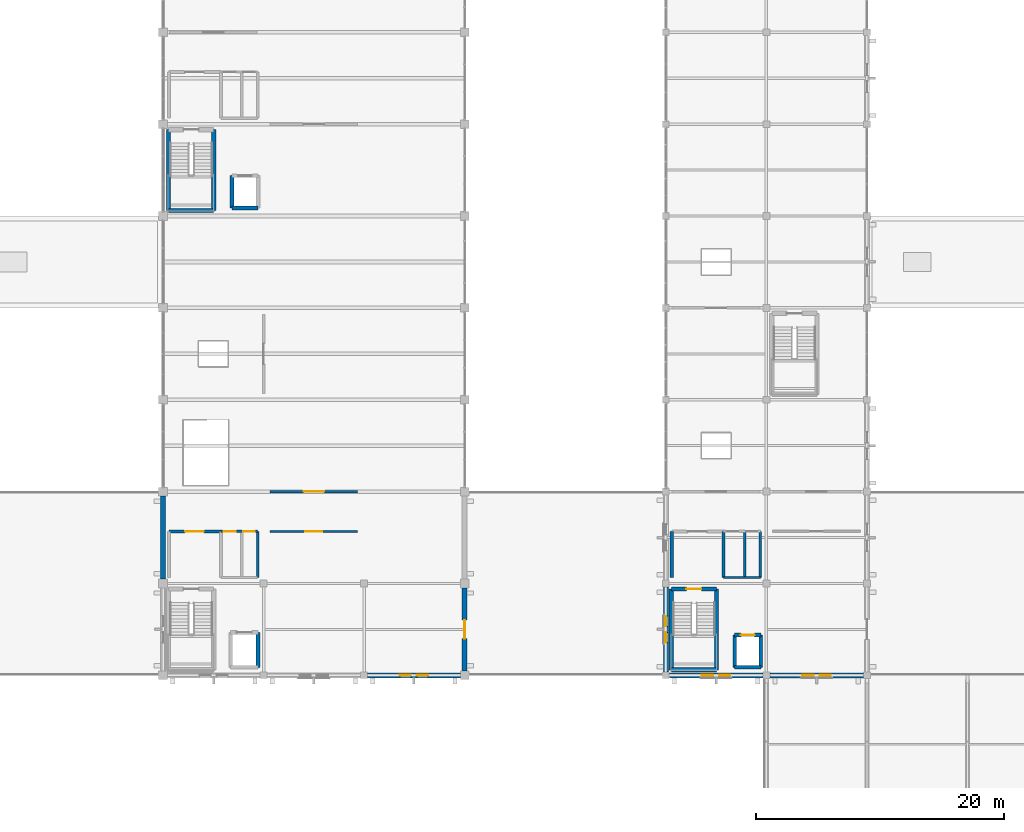
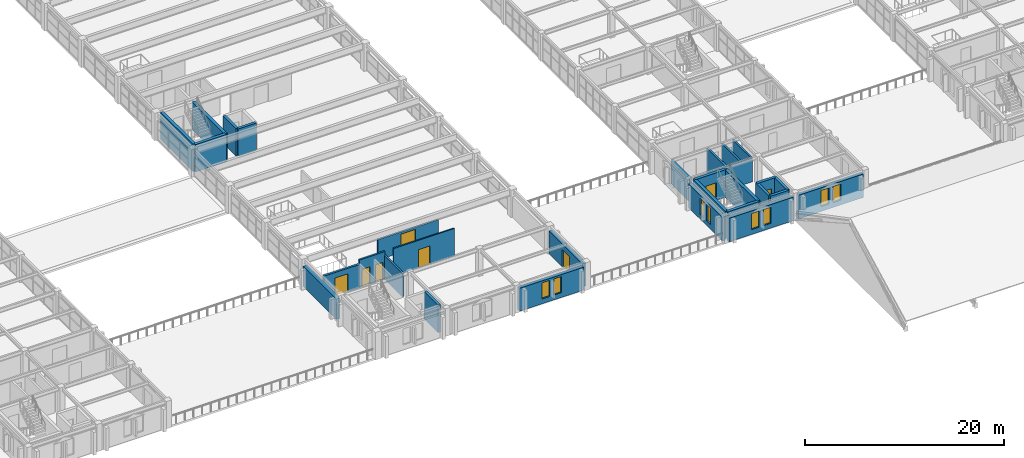
# One storey, part 103 of 121: 30 walls, 8 doors, 8 windows, 16 openings.
"""IFC4 building model written with IfcOpenShell, lengths in metres."""

from ifc_helpers import new_model, si_unit, direction, frame, frame_2d, origin, place, context, subcontext, project, spatial, rectangle, extrude, material, layer, layer_set, type_object, element, fill, save


model = new_model("IFC4")

# Units and contexts
model_context = context("Model", 3, precision=1e-05, world=origin(), true_north=direction((0.0, 1.0)))
body_context = subcontext(model_context, "Body", "Model", "MODEL_VIEW")
ifc_project = project(units=[si_unit("LENGTHUNIT", "METRE"), si_unit("AREAUNIT", "SQUARE_METRE"), si_unit("VOLUMEUNIT", "CUBIC_METRE"), si_unit("PLANEANGLEUNIT", "RADIAN"), si_unit("MASSUNIT", "GRAM", prefix="KILO")], contexts=[model_context])

# Site, building, storey
site_placement = place(None, origin())
site = spatial("IfcSite", under=ifc_project, at=site_placement, CompositionType="ELEMENT")
building_placement = place(site_placement, origin())
building = spatial("IfcBuilding", under=site, at=building_placement, Name="Cimatlan Art Gallery", CompositionType="ELEMENT")
storey_placement = place(building_placement, frame((0.0, 0.0, 10.199951171875)))
storey = spatial("IfcBuildingStorey", under=building, at=storey_placement, Name="L02", CompositionType="ELEMENT", Elevation=10.199951171875)

# Walls
ifc_material_1 = material(Name="Concrete C40/50", Category="concrete")
ifc_layer_1 = layer(ifc_material_1, 0.31005859375)
ifc_layer_set_1 = layer_set([ifc_layer_1], Name="Concrete C40/50")
wall_type_1 = type_object("IfcWallType", Name="W-CORE-310", PredefinedType="SHEAR", material=ifc_layer_set_1)
wall_1_placement = place(storey_placement, frame((82.550048828125, 24.550048828125, 0.0), z_axis=(0.0, 0.0, 1.0), x_axis=(0.0, 1.0, 0.0)))
element("IfcWall", 1, at=wall_1_placement, inside=storey, type_object=wall_type_1, Name="WL-SHFT-C3-L02-LE", PredefinedType="SHEAR", context=body_context, shape_type="SweptSolid", body=[
    extrude(rectangle(XDim=2.800048828125, YDim=0.31005859375, at=frame_2d((1.39990234375, 0.0))), origin(), (0.0, 0.0, 1.0), 3.364990234375),
])
wall_2_placement = place(storey_placement, frame((120.949951171875, 24.550048828125, 0.0), z_axis=(0.0, 0.0, 1.0), x_axis=(0.0, 1.0, 0.0)))
element("IfcWall", 2, at=wall_2_placement, inside=storey, type_object=wall_type_1, Name="WL-SHFT-C4-L02-LW", PredefinedType="SHEAR", context=body_context, shape_type="SweptSolid", body=[
    extrude(rectangle(XDim=2.599853515625, YDim=0.31005859375, at=frame_2d((1.2998046875, 0.0))), origin(), (0.0, 0.0, 1.0), 3.364990234375),
])
wall_3_placement = place(storey_placement, frame((120.949951171875, 24.550048828125, 0.0), z_axis=(0.0, 0.0, 1.0), x_axis=(1.0, 0.0, 0.0)))
element("IfcWall", 3, at=wall_3_placement, inside=storey, type_object=wall_type_1, Name="WL-SHFT-C4-L02-LS", PredefinedType="SHEAR", context=body_context, shape_type="SweptSolid", body=[
    extrude(rectangle(XDim=2.10009765625, YDim=0.31005859375, at=frame_2d((1.050048828125, 0.0))), origin(), (0.0, 0.0, 1.0), 3.364990234375),
])
wall_4_placement = place(storey_placement, frame((123.050048828125, 24.550048828125, 0.0), z_axis=(0.0, 0.0, 1.0), x_axis=(0.0, 1.0, 0.0)))
element("IfcWall", 4, at=wall_4_placement, inside=storey, type_object=wall_type_1, Name="WL-SHFT-C4-L02-LE", PredefinedType="SHEAR", context=body_context, shape_type="SweptSolid", body=[
    extrude(rectangle(XDim=2.599853515625, YDim=0.31005859375, at=frame_2d((1.2998046875, 0.0))), origin(), (0.0, 0.0, 1.0), 3.364990234375),
])

# Wall, opening, door
wall_5_placement = place(storey_placement, frame((120.949951171875, 27.14990234375, 0.0), z_axis=(0.0, 0.0, 1.0), x_axis=(1.0, 0.0, 0.0)))
wall_5 = element("IfcWall", 5, at=wall_5_placement, inside=storey, type_object=wall_type_1, Name="WL-SHFT-C4-L02-LN", PredefinedType="SHEAR", context=body_context, shape_type="SweptSolid", body=[
    extrude(rectangle(XDim=2.10009765625, YDim=0.31005859375, at=frame_2d((1.050048828125, 0.0))), origin(), (0.0, 0.0, 1.0), 3.364990234375),
])
opening_1_placement = place(wall_5_placement, frame((0.5, 0.0, 0.0)))
opening_1 = element("IfcOpeningElement", 6, at=opening_1_placement, cuts=wall_5, Name="Opening LD-C4-L02", PredefinedType="OPENING", context=body_context, shape_type="SweptSolid", body=[
    extrude(rectangle(XDim=1.10009765625, YDim=2.14990234375, at=frame_2d((0.550048828125, 1.074951171875))), frame((0.0, 0.1650390625, 0.0), z_axis=(0.0, -1.0, 0.0), x_axis=(1.0, 0.0, 0.0)), (0.0, 0.0, 1.0), 0.330078125),
])
ifc_material_2 = material(Name="Brushed bronze sliding lift landing door")
door_type_1 = type_object("IfcDoorType", Name="LD-PS-1100", OperationType="NOTDEFINED", PredefinedType="DOOR", material=ifc_material_2)
door_1_placement = place(opening_1_placement, origin())
door_1 = element("IfcDoor", 7, at=door_1_placement, inside=storey, type_object=door_type_1, Name="LD-PL-01-L02", OperationType="SLIDING_TO_RIGHT", OverallHeight=2.14990234375, OverallWidth=1.10009765625, PredefinedType="DOOR", context=body_context, shape_type="SweptSolid", body=[
    extrude(rectangle(XDim=1.10009765625, YDim=2.14990234375, at=frame_2d((0.550048828125, 1.074951171875))), frame((0.0, 0.02490234375, 0.0), z_axis=(0.0, -1.0, 0.0), x_axis=(1.0, 0.0, 0.0)), (0.0, 0.0, 1.0), 0.050048828125),
])
fill(opening_1, door_1)

# Walls
wall_6_placement = place(storey_placement, frame((80.449951171875, 61.550048828125, 0.0), z_axis=(0.0, 0.0, 1.0), x_axis=(0.0, 1.0, 0.0)))
element("IfcWall", 8, at=wall_6_placement, inside=storey, type_object=wall_type_1, Name="WL-SHFT-C6-L02-LW", PredefinedType="SHEAR", context=body_context, shape_type="SweptSolid", body=[
    extrude(rectangle(XDim=2.599853515625, YDim=0.31005859375, at=frame_2d((1.2998046875, 0.0))), origin(), (0.0, 0.0, 1.0), 3.364990234375),
])
wall_7_placement = place(storey_placement, frame((80.449951171875, 61.550048828125, 0.0), z_axis=(0.0, 0.0, 1.0), x_axis=(1.0, 0.0, 0.0)))
element("IfcWall", 9, at=wall_7_placement, inside=storey, type_object=wall_type_1, Name="WL-SHFT-C6-L02-LS", PredefinedType="SHEAR", context=body_context, shape_type="SweptSolid", body=[
    extrude(rectangle(XDim=2.10009765625, YDim=0.31005859375, at=frame_2d((1.050048828125, 0.0))), origin(), (0.0, 0.0, 1.0), 3.364990234375),
])
ifc_layer_2 = layer(ifc_material_1, 0.35009765625)
ifc_layer_set_2 = layer_set([ifc_layer_2], Name="Concrete C40/50")
wall_type_2 = type_object("IfcWallType", Name="W-CORE-350", PredefinedType="SHEAR", material=ifc_layer_set_2)
wall_8_placement = place(storey_placement, frame((115.840087890625, 24.340087890625, 0.0), z_axis=(0.0, 0.0, 1.0), x_axis=(0.0, 1.0, 0.0)))
element("IfcWall", 10, at=wall_8_placement, inside=storey, type_object=wall_type_2, Name="WL-CORE-C4-L02-SW", PredefinedType="SHEAR", context=body_context, shape_type="SweptSolid", body=[
    extrude(rectangle(XDim=6.52001953125, YDim=0.35009765625, at=frame_2d((3.260009765625, 0.0))), origin(), (0.0, 0.0, 1.0), 3.364990234375),
])
wall_9_placement = place(storey_placement, frame((115.840087890625, 24.340087890625, 0.0), z_axis=(0.0, 0.0, 1.0), x_axis=(1.0, 0.0, 0.0)))
element("IfcWall", 11, at=wall_9_placement, inside=storey, type_object=wall_type_2, Name="WL-CORE-C4-L02-SS", PredefinedType="SHEAR", context=body_context, shape_type="SweptSolid", body=[
    extrude(rectangle(XDim=3.639892578125, YDim=0.35009765625, at=frame_2d((1.81982421875, 0.0))), origin(), (0.0, 0.0, 1.0), 3.364990234375),
])
wall_10_placement = place(storey_placement, frame((119.47998046875, 24.340087890625, 0.0), z_axis=(0.0, 0.0, 1.0), x_axis=(0.0, 1.0, 0.0)))
element("IfcWall", 12, at=wall_10_placement, inside=storey, type_object=wall_type_2, Name="WL-CORE-C4-L02-SE", PredefinedType="SHEAR", context=body_context, shape_type="SweptSolid", body=[
    extrude(rectangle(XDim=6.52001953125, YDim=0.35009765625, at=frame_2d((3.260009765625, 0.0))), origin(), (0.0, 0.0, 1.0), 3.364990234375),
])

# Wall, opening, door
wall_11_placement = place(storey_placement, frame((115.840087890625, 30.860107421875, 0.0), z_axis=(0.0, 0.0, 1.0), x_axis=(1.0, 0.0, 0.0)))
wall_11 = element("IfcWall", 13, at=wall_11_placement, inside=storey, type_object=wall_type_2, Name="WL-CORE-C4-L02-SN", PredefinedType="SHEAR", context=body_context, shape_type="SweptSolid", body=[
    extrude(rectangle(XDim=3.639892578125, YDim=0.35009765625, at=frame_2d((1.81982421875, 0.0))), origin(), (0.0, 0.0, 1.0), 3.364990234375),
])
opening_2_placement = place(wall_11_placement, frame((1.219970703125, 0.0, 0.0)))
opening_2 = element("IfcOpeningElement", 14, at=opening_2_placement, cuts=wall_11, Name="Opening FD-C4-L02", PredefinedType="OPENING", context=body_context, shape_type="SweptSolid", body=[
    extrude(rectangle(XDim=1.199951171875, YDim=2.14990234375, at=frame_2d((0.60009765625, 1.074951171875))), frame((0.0, 0.18505859375, 0.0), z_axis=(0.0, -1.0, 0.0), x_axis=(1.0, 0.0, 0.0)), (0.0, 0.0, 1.0), 0.3701171875),
])
ifc_material_3 = material(Name="Fire-resisting steel acoustic stair door", Category="steel")
door_type_2 = type_object("IfcDoorType", Name="FD-ST-1200", OperationType="NOTDEFINED", PredefinedType="DOOR", material=ifc_material_3)
door_2_placement = place(opening_2_placement, origin())
door_2 = element("IfcDoor", 15, at=door_2_placement, inside=storey, type_object=door_type_2, Name="DR-C4-L02-ST", OperationType="SINGLE_SWING_LEFT", OverallHeight=2.14990234375, OverallWidth=1.199951171875, PredefinedType="DOOR", context=body_context, shape_type="SweptSolid", body=[
    extrude(rectangle(XDim=1.199951171875, YDim=2.14990234375, at=frame_2d((0.60009765625, 1.074951171875))), frame((0.0, 0.02490234375, 0.0), z_axis=(0.0, -1.0, 0.0), x_axis=(1.0, 0.0, 0.0)), (0.0, 0.0, 1.0), 0.050048828125),
])
fill(opening_2, door_2)

# Walls
wall_12_placement = place(storey_placement, frame((75.340087890625, 61.340087890625, 0.0), z_axis=(0.0, 0.0, 1.0), x_axis=(0.0, 1.0, 0.0)))
element("IfcWall", 16, at=wall_12_placement, inside=storey, type_object=wall_type_2, Name="WL-CORE-C6-L02-SW", PredefinedType="SHEAR", context=body_context, shape_type="SweptSolid", body=[
    extrude(rectangle(XDim=6.52001953125, YDim=0.35009765625, at=frame_2d((3.260009765625, 0.0))), origin(), (0.0, 0.0, 1.0), 3.364990234375),
])
wall_13_placement = place(storey_placement, frame((75.340087890625, 61.340087890625, 0.0), z_axis=(0.0, 0.0, 1.0), x_axis=(1.0, 0.0, 0.0)))
element("IfcWall", 17, at=wall_13_placement, inside=storey, type_object=wall_type_2, Name="WL-CORE-C6-L02-SS", PredefinedType="SHEAR", context=body_context, shape_type="SweptSolid", body=[
    extrude(rectangle(XDim=3.639892578125, YDim=0.35009765625, at=frame_2d((1.81982421875, 0.0))), origin(), (0.0, 0.0, 1.0), 3.364990234375),
])
wall_14_placement = place(storey_placement, frame((78.97998046875, 61.340087890625, 0.0), z_axis=(0.0, 0.0, 1.0), x_axis=(0.0, 1.0, 0.0)))
element("IfcWall", 18, at=wall_14_placement, inside=storey, type_object=wall_type_2, Name="WL-CORE-C6-L02-SE", PredefinedType="SHEAR", context=body_context, shape_type="SweptSolid", body=[
    extrude(rectangle(XDim=6.52001953125, YDim=0.35009765625, at=frame_2d((3.260009765625, 0.0))), origin(), (0.0, 0.0, 1.0), 3.364990234375),
])

# Wall, opening, door
ifc_material_4 = material(Name="Precast concrete C40/50", Category="concrete")
ifc_layer_3 = layer(ifc_material_4, 0.2451171875)
ifc_layer_set_3 = layer_set([ifc_layer_3], Name="Precast concrete C40/50")
wall_type_3 = type_object("IfcWallType", Name="W-FFL-245", PredefinedType="PARTITIONING", material=ifc_layer_set_3)
wall_15_placement = place(storey_placement, frame((75.3798828125, 35.5, 0.0), z_axis=(0.0, 0.0, 1.0), x_axis=(1.0, 0.0, 0.0)))
wall_15 = element("IfcWall", 19, at=wall_15_placement, inside=storey, type_object=wall_type_3, Name="WL-LOB-C3-L02-N", PredefinedType="PARTITIONING", context=body_context, shape_type="SweptSolid", body=[
    extrude(rectangle(XDim=4.170166015625, YDim=0.2451171875, at=frame_2d((2.0849609375, 0.0))), origin(), (0.0, 0.0, 1.0), 2.8271484375),
])
opening_3_placement = place(wall_15_placement, frame((1.300048828125, 0.0, 0.0)))
opening_3 = element("IfcOpeningElement", 20, at=opening_3_placement, cuts=wall_15, Name="Opening FDL-C3-L02", PredefinedType="OPENING", context=body_context, shape_type="SweptSolid", body=[
    extrude(rectangle(XDim=1.5, YDim=2.14990234375, at=frame_2d((0.75, 1.074951171875))), frame((0.0, 0.132568359375, 0.0), z_axis=(0.0, -1.0, 0.0), x_axis=(1.0, 0.0, 0.0)), (0.0, 0.0, 1.0), 0.26513671875),
])
ifc_material_5 = material(Name="Fire-resisting double-seal lobby door")
door_type_3 = type_object("IfcDoorType", Name="FD-LB-1500", OperationType="NOTDEFINED", PredefinedType="DOOR", material=ifc_material_5)
door_3_placement = place(opening_3_placement, origin())
door_3 = element("IfcDoor", 21, at=door_3_placement, inside=storey, type_object=door_type_3, Name="DR-LOB-C3-L02", OperationType="SINGLE_SWING_RIGHT", OverallHeight=2.14990234375, OverallWidth=1.5, PredefinedType="DOOR", context=body_context, shape_type="SweptSolid", body=[
    extrude(rectangle(XDim=1.5, YDim=2.14990234375, at=frame_2d((0.75, 1.074951171875))), frame((0.0, 0.02490234375, 0.0), z_axis=(0.0, -1.0, 0.0), x_axis=(1.0, 0.0, 0.0)), (0.0, 0.0, 1.0), 0.050048828125),
])
fill(opening_3, door_3)

# Walls
for number, where, z_axis, x_axis, name in (
    (22, (115.8798828125, 31.780029296875, 0.0), (0.0, 0.0, 1.0), (0.0, 1.0, 0.0), "WL-LOB-C4-L02-W"),
    (23, (120.050048828125, 31.780029296875, 0.0), (0.0, 0.0, 1.0), (0.0, 1.0, 0.0), "WL-LOB-C4-L02-M"),
):
    element("IfcWall", number, at=place(storey_placement, frame(where, z_axis=z_axis, x_axis=x_axis)), inside=storey, type_object=wall_type_3, Name=name, PredefinedType="PARTITIONING", context=body_context, shape_type="SweptSolid", body=[
        extrude(rectangle(XDim=3.719970703125, YDim=0.2451171875, at=frame_2d((1.85986328125, 0.0))), origin(), (0.0, 0.0, 1.0), 2.903076171875),
    ])

# Wall, opening, door
ifc_material_6 = material(Name="Acoustic gypsum and steel stud partition", Category="steel")
ifc_layer_4 = layer(ifc_material_6, 0.205078125)
ifc_layer_set_4 = layer_set([ifc_layer_4], Name="Acoustic gypsum and steel stud partition")
wall_type_4 = type_object("IfcWallType", Name="W-GAL-205", PredefinedType="PARTITIONING", material=ifc_layer_set_4)
wall_16_placement = place(storey_placement, frame((83.52001953125, 38.699951171875, 0.0), z_axis=(0.0, 0.0, 1.0), x_axis=(1.0, 0.0, 0.0)))
wall_16 = element("IfcWall", 24, at=wall_16_placement, inside=storey, type_object=wall_type_4, Name="WL-RM-L02-GAL-C1", PredefinedType="PARTITIONING", context=body_context, shape_type="SweptSolid", body=[
    extrude(rectangle(XDim=7.06005859375, YDim=0.205078125, at=frame_2d((3.530029296875, 0.0))), origin(), (0.0, 0.0, 1.0), 2.51416015625),
])
opening_4_placement = place(wall_16_placement, frame((2.705078125, 0.0, 0.0)))
opening_4 = element("IfcOpeningElement", 25, at=opening_4_placement, cuts=wall_16, Name="Opening DI-0230", PredefinedType="OPENING", context=body_context, shape_type="SweptSolid", body=[
    extrude(rectangle(XDim=1.64990234375, YDim=2.25, at=frame_2d((0.824951171875, 1.125))), frame((0.0, 0.112548828125, 0.0), z_axis=(0.0, -1.0, 0.0), x_axis=(1.0, 0.0, 0.0)), (0.0, 0.0, 1.0), 0.22509765625),
])
ifc_material_7 = material(Name="European oak gallery double door")
door_type_4 = type_object("IfcDoorType", Name="DI-GL-1650", OperationType="NOTDEFINED", PredefinedType="DOOR", material=ifc_material_7)
door_4_placement = place(opening_4_placement, origin())
door_4 = element("IfcDoor", 26, at=door_4_placement, inside=storey, type_object=door_type_4, Name="DR-RM-L02-GAL-C1", OperationType="SINGLE_SWING_RIGHT", OverallHeight=2.25, OverallWidth=1.64990234375, PredefinedType="DOOR", context=body_context, shape_type="SweptSolid", body=[
    extrude(rectangle(XDim=1.64990234375, YDim=2.25, at=frame_2d((0.824951171875, 1.125))), frame((0.0, 0.02490234375, 0.0), z_axis=(0.0, -1.0, 0.0), x_axis=(1.0, 0.0, 0.0)), (0.0, 0.0, 1.0), 0.050048828125),
])
fill(opening_4, door_4)

ifc_layer_5 = layer(ifc_material_6, 0.159912109375)
ifc_layer_set_5 = layer_set([ifc_layer_5], Name="Acoustic gypsum and steel stud partition")
wall_type_5 = type_object("IfcWallType", Name="W-LRN-160", PredefinedType="PARTITIONING", material=ifc_layer_set_5)
wall_17_placement = place(storey_placement, frame((83.52001953125, 35.5, 0.0), z_axis=(0.0, 0.0, 1.0), x_axis=(1.0, 0.0, 0.0)))
wall_17 = element("IfcWall", 27, at=wall_17_placement, inside=storey, type_object=wall_type_5, Name="WL-RM-L02-LRN-01", PredefinedType="PARTITIONING", context=body_context, shape_type="SweptSolid", body=[
    extrude(rectangle(XDim=7.06005859375, YDim=0.159912109375, at=frame_2d((3.530029296875, 0.0))), origin(), (0.0, 0.0, 1.0), 3.35498046875),
])
opening_5_placement = place(wall_17_placement, frame((2.85498046875, 0.0, 0.0)))
opening_5 = element("IfcOpeningElement", 28, at=opening_5_placement, cuts=wall_17, Name="Opening DI-0229", PredefinedType="OPENING", context=body_context, shape_type="SweptSolid", body=[
    extrude(rectangle(XDim=1.35009765625, YDim=2.199951171875, at=frame_2d((0.675048828125, 1.10009765625))), frame((0.0, 0.08984375, 0.0), z_axis=(0.0, -1.0, 0.0), x_axis=(1.0, 0.0, 0.0)), (0.0, 0.0, 1.0), 0.179931640625),
])
ifc_material_8 = material(Name="Oak learning-centre workshop door")
door_type_5 = type_object("IfcDoorType", Name="DI-LN-1350", OperationType="NOTDEFINED", PredefinedType="DOOR", material=ifc_material_8)
door_5_placement = place(opening_5_placement, origin())
door_5 = element("IfcDoor", 29, at=door_5_placement, inside=storey, type_object=door_type_5, Name="DR-RM-L02-LRN-01", OperationType="SINGLE_SWING_LEFT", OverallHeight=2.199951171875, OverallWidth=1.35009765625, PredefinedType="DOOR", context=body_context, shape_type="SweptSolid", body=[
    extrude(rectangle(XDim=1.35009765625, YDim=2.199951171875, at=frame_2d((0.675048828125, 1.10009765625))), frame((0.0, 0.02490234375, 0.0), z_axis=(0.0, -1.0, 0.0), x_axis=(1.0, 0.0, 0.0)), (0.0, 0.0, 1.0), 0.050048828125),
])
fill(opening_5, door_5)

# Wall
ifc_material_9 = material(Name="Moisture-resistant fire-rated plumbing wall")
ifc_layer_6 = layer(ifc_material_9, 0.195068359375)
ifc_layer_set_6 = layer_set([ifc_layer_6], Name="Moisture-resistant fire-rated plumbing wall")
wall_type_6 = type_object("IfcWallType", Name="W-PLM-195", PredefinedType="PARTITIONING", material=ifc_layer_set_6)
wall_18_placement = place(storey_placement, frame((82.52001953125, 31.780029296875, 0.0), z_axis=(0.0, 0.0, 1.0), x_axis=(0.0, 1.0, 0.0)))
element("IfcWall", 30, at=wall_18_placement, inside=storey, type_object=wall_type_6, Name="WL-LOB-C3-L02-E", PredefinedType="PARTITIONING", context=body_context, shape_type="SweptSolid", body=[
    extrude(rectangle(XDim=3.719970703125, YDim=0.195068359375, at=frame_2d((1.85986328125, 0.0))), origin(), (0.0, 0.0, 1.0), 2.903076171875),
])

# Wall, openings, doors
wall_19_placement = place(storey_placement, frame((79.550048828125, 35.5, 0.0), z_axis=(0.0, 0.0, 1.0), x_axis=(1.0, 0.0, 0.0)))
wall_19 = element("IfcWall", 31, at=wall_19_placement, inside=storey, type_object=wall_type_6, Name="WL-WC-C3-L02-N", PredefinedType="PARTITIONING", context=body_context, shape_type="SweptSolid", body=[
    extrude(rectangle(XDim=2.969970703125, YDim=0.195068359375, at=frame_2d((1.48486328125, 0.0))), origin(), (0.0, 0.0, 1.0), 3.35498046875),
])
opening_6_placement = place(wall_19_placement, frame((0.25, 0.0, 0.0)))
opening_6 = element("IfcOpeningElement", 32, at=opening_6_placement, cuts=wall_19, Name="Opening DWC-C3A-L02", PredefinedType="OPENING", context=body_context, shape_type="SweptSolid", body=[
    extrude(rectangle(XDim=0.949951171875, YDim=2.10009765625, at=frame_2d((0.47509765625, 1.050048828125))), frame((0.0, 0.107421875, 0.0), z_axis=(0.0, -1.0, 0.0), x_axis=(1.0, 0.0, 0.0)), (0.0, 0.0, 1.0), 0.215087890625),
])
opening_7_placement = place(wall_19_placement, frame((1.820068359375, 0.0, 0.0)))
opening_7 = element("IfcOpeningElement", 33, at=opening_7_placement, cuts=wall_19, Name="Opening DWC-C3B-L02", PredefinedType="OPENING", context=body_context, shape_type="SweptSolid", body=[
    extrude(rectangle(XDim=0.89990234375, YDim=2.10009765625, at=frame_2d((0.449951171875, 1.050048828125))), frame((0.0, 0.107421875, 0.0), z_axis=(0.0, -1.0, 0.0), x_axis=(1.0, 0.0, 0.0)), (0.0, 0.0, 1.0), 0.215087890625),
])
ifc_material_10 = material(Name="Sanitary room door")
door_type_6 = type_object("IfcDoorType", Name="DI-WC-0900", OperationType="NOTDEFINED", PredefinedType="DOOR", material=ifc_material_10)
door_6_placement = place(opening_7_placement, origin())
door_6 = element("IfcDoor", 34, at=door_6_placement, inside=storey, type_object=door_type_6, Name="DR-PWC-C3-L02", OperationType="SINGLE_SWING_RIGHT", OverallHeight=2.10009765625, OverallWidth=0.89990234375, PredefinedType="DOOR", context=body_context, shape_type="SweptSolid", body=[
    extrude(rectangle(XDim=0.89990234375, YDim=2.10009765625, at=frame_2d((0.449951171875, 1.050048828125))), frame((0.0, 0.02490234375, 0.0), z_axis=(0.0, -1.0, 0.0), x_axis=(1.0, 0.0, 0.0)), (0.0, 0.0, 1.0), 0.050048828125),
])
fill(opening_7, door_6)
ifc_material_11 = material(Name="Accessible sanitary room door")
door_type_7 = type_object("IfcDoorType", Name="DI-WC-0950", OperationType="NOTDEFINED", PredefinedType="DOOR", material=ifc_material_11)
door_7_placement = place(opening_6_placement, origin())
door_7 = element("IfcDoor", 35, at=door_7_placement, inside=storey, type_object=door_type_7, Name="DR-AWC-C3-L02", OperationType="SINGLE_SWING_LEFT", OverallHeight=2.10009765625, OverallWidth=0.949951171875, PredefinedType="DOOR", context=body_context, shape_type="SweptSolid", body=[
    extrude(rectangle(XDim=0.949951171875, YDim=2.10009765625, at=frame_2d((0.47509765625, 1.050048828125))), frame((0.0, 0.02490234375, 0.0), z_axis=(0.0, -1.0, 0.0), x_axis=(1.0, 0.0, 0.0)), (0.0, 0.0, 1.0), 0.050048828125),
])
fill(opening_6, door_7)

# Walls
for number, where, z_axis, x_axis, name in (
    (36, (121.75, 31.780029296875, 0.0), (0.0, 0.0, 1.0), (0.0, 1.0, 0.0), "WL-LOB-C4-L02-D"),
    (37, (123.02001953125, 31.780029296875, 0.0), (0.0, 0.0, 1.0), (0.0, 1.0, 0.0), "WL-LOB-C4-L02-E"),
):
    element("IfcWall", number, at=place(storey_placement, frame(where, z_axis=z_axis, x_axis=x_axis)), inside=storey, type_object=wall_type_6, Name=name, PredefinedType="PARTITIONING", context=body_context, shape_type="SweptSolid", body=[
        extrude(rectangle(XDim=3.719970703125, YDim=0.195068359375, at=frame_2d((1.85986328125, 0.0))), origin(), (0.0, 0.0, 1.0), 2.903076171875),
    ])
wall_20_placement = place(storey_placement, frame((120.050048828125, 31.780029296875, 0.0), z_axis=(0.0, 0.0, 1.0), x_axis=(1.0, 0.0, 0.0)))
element("IfcWall", 38, at=wall_20_placement, inside=storey, type_object=wall_type_6, Name="WL-LOB-C4-L02-S", PredefinedType="PARTITIONING", context=body_context, shape_type="SweptSolid", body=[
    extrude(rectangle(XDim=2.969970703125, YDim=0.195068359375, at=frame_2d((1.48486328125, 0.0))), origin(), (0.0, 0.0, 1.0), 2.903076171875),
])
ifc_layer_7 = layer(ifc_material_4, 0.39990234375)
ifc_layer_set_7 = layer_set([ifc_layer_7], Name="Precast concrete C40/50")
wall_type_7 = type_object("IfcWallType", Name="WL-EXT-CAN-400", PredefinedType="SOLIDWALL", material=ifc_layer_set_7)
wall_21_placement = place(storey_placement, frame((74.89990234375, 31.654052734375, 0.0), z_axis=(0.0, 0.0, 1.0), x_axis=(0.0, 1.0, 0.0)))
element("IfcWall", 39, at=wall_21_placement, inside=storey, type_object=wall_type_7, Name="WL-EXT-L02-09-04-W", PredefinedType="SOLIDWALL", context=body_context, shape_type="SweptSolid", body=[
    extrude(rectangle(XDim=6.69189453125, YDim=0.39990234375, at=frame_2d((3.345947265625, 0.0))), origin(), (0.0, 0.0, 1.0), 2.509033203125),
])

# Wall, openings, windows
wall_22_placement = place(storey_placement, frame((98.845947265625, 23.89990234375, 0.0), z_axis=(0.0, 0.0, 1.0), x_axis=(-1.0, 0.0, 0.0)))
wall_22 = element("IfcWall", 40, at=wall_22_placement, inside=storey, type_object=wall_type_7, Name="WL-EXT-L02-11-03-S", PredefinedType="SOLIDWALL", context=body_context, shape_type="SweptSolid", body=[
    extrude(rectangle(XDim=7.467041015625, YDim=0.39990234375, at=frame_2d((3.7333984375, 0.0))), origin(), (0.0, 0.0, 1.0), 2.822021484375),
])
opening_8_placement = place(wall_22_placement, frame((2.593505859375, 0.0, 0.60009765625)))
opening_8 = element("IfcOpeningElement", 41, at=opening_8_placement, cuts=wall_22, Name="Opening WN-0165", PredefinedType="OPENING", context=body_context, shape_type="SweptSolid", body=[
    extrude(rectangle(XDim=0.89990234375, YDim=1.97998046875, at=frame_2d((0.449951171875, 0.989990234375))), frame((0.0, 0.2099609375, 0.0), z_axis=(0.0, -1.0, 0.0), x_axis=(1.0, 0.0, 0.0)), (0.0, 0.0, 1.0), 0.419921875),
])
opening_9_placement = place(wall_22_placement, frame((3.973388671875, 0.0, 0.60009765625)))
opening_9 = element("IfcOpeningElement", 42, at=opening_9_placement, cuts=wall_22, Name="Opening WN-0166", PredefinedType="OPENING", context=body_context, shape_type="SweptSolid", body=[
    extrude(rectangle(XDim=0.89990234375, YDim=1.97998046875, at=frame_2d((0.449951171875, 0.989990234375))), frame((0.0, 0.2099609375, 0.0), z_axis=(0.0, -1.0, 0.0), x_axis=(1.0, 0.0, 0.0)), (0.0, 0.0, 1.0), 0.419921875),
])
ifc_material_12 = material(Name="Low-E laminated double glazing in bronze lancet frame", Category="glass")
window_type_1 = type_object("IfcWindowType", Name="WIN-S-L02-0900X1980", PartitioningType="SINGLE_PANEL", PredefinedType="WINDOW", material=ifc_material_12)
window_1_placement = place(opening_8_placement, origin())
window_1 = element("IfcWindow", 43, at=window_1_placement, inside=storey, type_object=window_type_1, Name="WIN-0165", OverallHeight=1.97998046875, OverallWidth=0.89990234375, PartitioningType="SINGLE_PANEL", PredefinedType="WINDOW", context=body_context, shape_type="SweptSolid", body=[
    extrude(rectangle(XDim=0.89990234375, YDim=1.97998046875, at=frame_2d((0.449951171875, 0.989990234375))), frame((0.0, 0.030029296875, 0.0), z_axis=(0.0, -1.0, 0.0), x_axis=(1.0, 0.0, 0.0)), (0.0, 0.0, 1.0), 0.06005859375),
])
fill(opening_8, window_1)
window_2_placement = place(opening_9_placement, origin())
window_2 = element("IfcWindow", 44, at=window_2_placement, inside=storey, type_object=window_type_1, Name="WIN-0166", OverallHeight=1.97998046875, OverallWidth=0.89990234375, PartitioningType="SINGLE_PANEL", PredefinedType="WINDOW", context=body_context, shape_type="SweptSolid", body=[
    extrude(rectangle(XDim=0.89990234375, YDim=1.97998046875, at=frame_2d((0.449951171875, 0.989990234375))), frame((0.0, 0.030029296875, 0.0), z_axis=(0.0, -1.0, 0.0), x_axis=(1.0, 0.0, 0.0)), (0.0, 0.0, 1.0), 0.06005859375),
])
fill(opening_9, window_2)

# Wall, opening, door
wall_23_placement = place(storey_placement, frame((99.199951171875, 30.946044921875, 0.0), z_axis=(0.0, 0.0, 1.0), x_axis=(0.0, -1.0, 0.0)))
wall_23 = element("IfcWall", 45, at=wall_23_placement, inside=storey, type_object=wall_type_7, Name="WL-EXT-L02-11-03-E", PredefinedType="SOLIDWALL", context=body_context, shape_type="SweptSolid", body=[
    extrude(rectangle(XDim=6.692138671875, YDim=0.39990234375, at=frame_2d((3.34619140625, 0.0))), origin(), (0.0, 0.0, 1.0), 2.822021484375),
])
opening_10_placement = place(wall_23_placement, frame((2.595947265625, 0.0, 0.0)))
opening_10 = element("IfcOpeningElement", 46, at=opening_10_placement, cuts=wall_23, Name="Opening D-L02-T08", PredefinedType="OPENING", context=body_context, shape_type="SweptSolid", body=[
    extrude(rectangle(XDim=1.5, YDim=2.10009765625, at=frame_2d((0.75, 1.050048828125))), frame((0.0, 0.2099609375, 0.0), z_axis=(0.0, -1.0, 0.0), x_axis=(1.0, 0.0, 0.0)), (0.0, 0.0, 1.0), 0.419921875),
])
ifc_material_13 = material(Name="Anodised bronze and laminated safety glass door", Category="glass")
door_type_8 = type_object("IfcDoorType", Name="DE-TR-1500", OperationType="NOTDEFINED", PredefinedType="DOOR", material=ifc_material_13)
door_8_placement = place(opening_10_placement, origin())
door_8 = element("IfcDoor", 47, at=door_8_placement, inside=storey, type_object=door_type_8, Name="D-L02-T08", OperationType="SINGLE_SWING_LEFT", OverallHeight=2.10009765625, OverallWidth=1.5, PredefinedType="DOOR", context=body_context, shape_type="SweptSolid", body=[
    extrude(rectangle(XDim=1.5, YDim=2.10009765625, at=frame_2d((0.75, 1.050048828125))), frame((0.0, 0.02490234375, 0.0), z_axis=(0.0, -1.0, 0.0), x_axis=(1.0, 0.0, 0.0)), (0.0, 0.0, 1.0), 0.050048828125),
])
fill(opening_10, door_8)

# Wall, openings, windows
wall_24_placement = place(storey_placement, frame((123.220947265625, 23.89990234375, 0.0), z_axis=(0.0, 0.0, 1.0), x_axis=(-1.0, 0.0, 0.0)))
wall_24 = element("IfcWall", 48, at=wall_24_placement, inside=storey, type_object=wall_type_7, Name="WL-EXT-L02-14-03-S", PredefinedType="SOLIDWALL", context=body_context, shape_type="SweptSolid", body=[
    extrude(rectangle(XDim=7.5419921875, YDim=0.39990234375, at=frame_2d((3.77099609375, 0.0))), origin(), (0.0, 0.0, 1.0), 2.89794921875),
])
opening_11_placement = place(wall_24_placement, frame((2.631103515625, 0.0, 0.60009765625)))
opening_11 = element("IfcOpeningElement", 49, at=opening_11_placement, cuts=wall_24, Name="Opening WN-0167", PredefinedType="OPENING", context=body_context, shape_type="SweptSolid", body=[
    extrude(rectangle(XDim=0.89990234375, YDim=1.97998046875, at=frame_2d((0.449951171875, 0.989990234375))), frame((0.0, 0.2099609375, 0.0), z_axis=(0.0, -1.0, 0.0), x_axis=(1.0, 0.0, 0.0)), (0.0, 0.0, 1.0), 0.419921875),
])
opening_12_placement = place(wall_24_placement, frame((4.010986328125, 0.0, 0.60009765625)))
opening_12 = element("IfcOpeningElement", 50, at=opening_12_placement, cuts=wall_24, Name="Opening WN-0168", PredefinedType="OPENING", context=body_context, shape_type="SweptSolid", body=[
    extrude(rectangle(XDim=0.89990234375, YDim=1.97998046875, at=frame_2d((0.449951171875, 0.989990234375))), frame((0.0, 0.2099609375, 0.0), z_axis=(0.0, -1.0, 0.0), x_axis=(1.0, 0.0, 0.0)), (0.0, 0.0, 1.0), 0.419921875),
])
window_3_placement = place(opening_11_placement, origin())
window_3 = element("IfcWindow", 51, at=window_3_placement, inside=storey, type_object=window_type_1, Name="WIN-0167", OverallHeight=1.97998046875, OverallWidth=0.89990234375, PartitioningType="SINGLE_PANEL", PredefinedType="WINDOW", context=body_context, shape_type="SweptSolid", body=[
    extrude(rectangle(XDim=0.89990234375, YDim=1.97998046875, at=frame_2d((0.449951171875, 0.989990234375))), frame((0.0, 0.030029296875, 0.0), z_axis=(0.0, -1.0, 0.0), x_axis=(1.0, 0.0, 0.0)), (0.0, 0.0, 1.0), 0.06005859375),
])
fill(opening_11, window_3)
window_4_placement = place(opening_12_placement, origin())
window_4 = element("IfcWindow", 52, at=window_4_placement, inside=storey, type_object=window_type_1, Name="WIN-0168", OverallHeight=1.97998046875, OverallWidth=0.89990234375, PartitioningType="SINGLE_PANEL", PredefinedType="WINDOW", context=body_context, shape_type="SweptSolid", body=[
    extrude(rectangle(XDim=0.89990234375, YDim=1.97998046875, at=frame_2d((0.449951171875, 0.989990234375))), frame((0.0, 0.030029296875, 0.0), z_axis=(0.0, -1.0, 0.0), x_axis=(1.0, 0.0, 0.0)), (0.0, 0.0, 1.0), 0.06005859375),
])
fill(opening_12, window_4)

wall_25_placement = place(storey_placement, frame((115.39990234375, 24.178955078125, 0.0), z_axis=(0.0, 0.0, 1.0), x_axis=(0.0, 1.0, 0.0)))
wall_25 = element("IfcWall", 53, at=wall_25_placement, inside=storey, type_object=wall_type_7, Name="WL-EXT-L02-14-03-W", PredefinedType="SOLIDWALL", context=body_context, shape_type="SweptSolid", body=[
    extrude(rectangle(XDim=6.842041015625, YDim=0.39990234375, at=frame_2d((3.4208984375, 0.0))), origin(), (0.0, 0.0, 1.0), 2.89794921875),
])
opening_13_placement = place(wall_25_placement, frame((2.361083984375, 0.0, 0.60009765625)))
opening_13 = element("IfcOpeningElement", 54, at=opening_13_placement, cuts=wall_25, Name="Opening WN-0169", PredefinedType="OPENING", context=body_context, shape_type="SweptSolid", body=[
    extrude(rectangle(XDim=0.820068359375, YDim=2.0, at=frame_2d((0.41015625, 1.0))), frame((0.0, 0.2099609375, 0.0), z_axis=(0.0, -1.0, 0.0), x_axis=(1.0, 0.0, 0.0)), (0.0, 0.0, 1.0), 0.419921875),
])
opening_14_placement = place(wall_25_placement, frame((3.660888671875, 0.0, 0.60009765625)))
opening_14 = element("IfcOpeningElement", 55, at=opening_14_placement, cuts=wall_25, Name="Opening WN-0170", PredefinedType="OPENING", context=body_context, shape_type="SweptSolid", body=[
    extrude(rectangle(XDim=0.820068359375, YDim=2.0, at=frame_2d((0.41015625, 1.0))), frame((0.0, 0.2099609375, 0.0), z_axis=(0.0, -1.0, 0.0), x_axis=(1.0, 0.0, 0.0)), (0.0, 0.0, 1.0), 0.419921875),
])
window_type_2 = type_object("IfcWindowType", Name="WIN-W-L02-0820X2000", PartitioningType="SINGLE_PANEL", PredefinedType="WINDOW", material=ifc_material_12)
window_5_placement = place(opening_13_placement, origin())
window_5 = element("IfcWindow", 56, at=window_5_placement, inside=storey, type_object=window_type_2, Name="WIN-0169", OverallHeight=2.0, OverallWidth=0.820068359375, PartitioningType="SINGLE_PANEL", PredefinedType="WINDOW", context=body_context, shape_type="SweptSolid", body=[
    extrude(rectangle(XDim=0.820068359375, YDim=2.0, at=frame_2d((0.41015625, 1.0))), frame((0.0, 0.030029296875, 0.0), z_axis=(0.0, -1.0, 0.0), x_axis=(1.0, 0.0, 0.0)), (0.0, 0.0, 1.0), 0.06005859375),
])
fill(opening_13, window_5)
window_6_placement = place(opening_14_placement, origin())
window_6 = element("IfcWindow", 57, at=window_6_placement, inside=storey, type_object=window_type_2, Name="WIN-0170", OverallHeight=2.0, OverallWidth=0.820068359375, PartitioningType="SINGLE_PANEL", PredefinedType="WINDOW", context=body_context, shape_type="SweptSolid", body=[
    extrude(rectangle(XDim=0.820068359375, YDim=2.0, at=frame_2d((0.41015625, 1.0))), frame((0.0, 0.030029296875, 0.0), z_axis=(0.0, -1.0, 0.0), x_axis=(1.0, 0.0, 0.0)), (0.0, 0.0, 1.0), 0.06005859375),
])
fill(opening_14, window_6)

wall_26_placement = place(storey_placement, frame((131.321044921875, 23.89990234375, 0.0), z_axis=(0.0, 0.0, 1.0), x_axis=(-1.0, 0.0, 0.0)))
wall_26 = element("IfcWall", 58, at=wall_26_placement, inside=storey, type_object=wall_type_7, Name="WL-EXT-L02-15-03-S", PredefinedType="SOLIDWALL", context=body_context, shape_type="SweptSolid", body=[
    extrude(rectangle(XDim=7.5419921875, YDim=0.39990234375, at=frame_2d((3.77099609375, 0.0))), origin(), (0.0, 0.0, 1.0), 2.89794921875),
])
opening_15_placement = place(wall_26_placement, frame((2.631103515625, 0.0, 0.60009765625)))
opening_15 = element("IfcOpeningElement", 59, at=opening_15_placement, cuts=wall_26, Name="Opening WN-0175", PredefinedType="OPENING", context=body_context, shape_type="SweptSolid", body=[
    extrude(rectangle(XDim=0.89990234375, YDim=1.97998046875, at=frame_2d((0.449951171875, 0.989990234375))), frame((0.0, 0.2099609375, 0.0), z_axis=(0.0, -1.0, 0.0), x_axis=(1.0, 0.0, 0.0)), (0.0, 0.0, 1.0), 0.419921875),
])
opening_16_placement = place(wall_26_placement, frame((4.010986328125, 0.0, 0.60009765625)))
opening_16 = element("IfcOpeningElement", 60, at=opening_16_placement, cuts=wall_26, Name="Opening WN-0176", PredefinedType="OPENING", context=body_context, shape_type="SweptSolid", body=[
    extrude(rectangle(XDim=0.89990234375, YDim=1.97998046875, at=frame_2d((0.449951171875, 0.989990234375))), frame((0.0, 0.2099609375, 0.0), z_axis=(0.0, -1.0, 0.0), x_axis=(1.0, 0.0, 0.0)), (0.0, 0.0, 1.0), 0.419921875),
])
window_7_placement = place(opening_15_placement, origin())
window_7 = element("IfcWindow", 61, at=window_7_placement, inside=storey, type_object=window_type_1, Name="WIN-0175", OverallHeight=1.97998046875, OverallWidth=0.89990234375, PartitioningType="SINGLE_PANEL", PredefinedType="WINDOW", context=body_context, shape_type="SweptSolid", body=[
    extrude(rectangle(XDim=0.89990234375, YDim=1.97998046875, at=frame_2d((0.449951171875, 0.989990234375))), frame((0.0, 0.030029296875, 0.0), z_axis=(0.0, -1.0, 0.0), x_axis=(1.0, 0.0, 0.0)), (0.0, 0.0, 1.0), 0.06005859375),
])
fill(opening_15, window_7)
window_8_placement = place(opening_16_placement, origin())
window_8 = element("IfcWindow", 62, at=window_8_placement, inside=storey, type_object=window_type_1, Name="WIN-0176", OverallHeight=1.97998046875, OverallWidth=0.89990234375, PartitioningType="SINGLE_PANEL", PredefinedType="WINDOW", context=body_context, shape_type="SweptSolid", body=[
    extrude(rectangle(XDim=0.89990234375, YDim=1.97998046875, at=frame_2d((0.449951171875, 0.989990234375))), frame((0.0, 0.030029296875, 0.0), z_axis=(0.0, -1.0, 0.0), x_axis=(1.0, 0.0, 0.0)), (0.0, 0.0, 1.0), 0.06005859375),
])
fill(opening_16, window_8)

save(model, "model.ifc")
